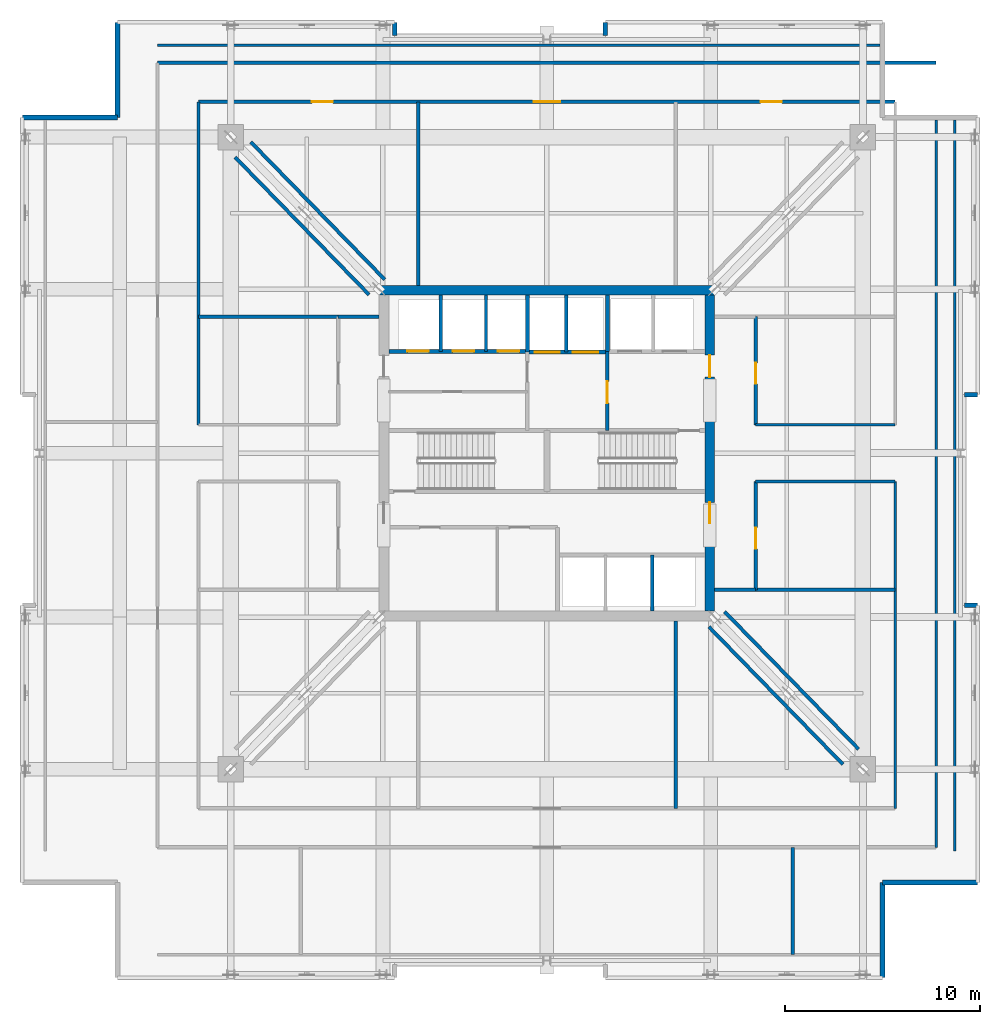
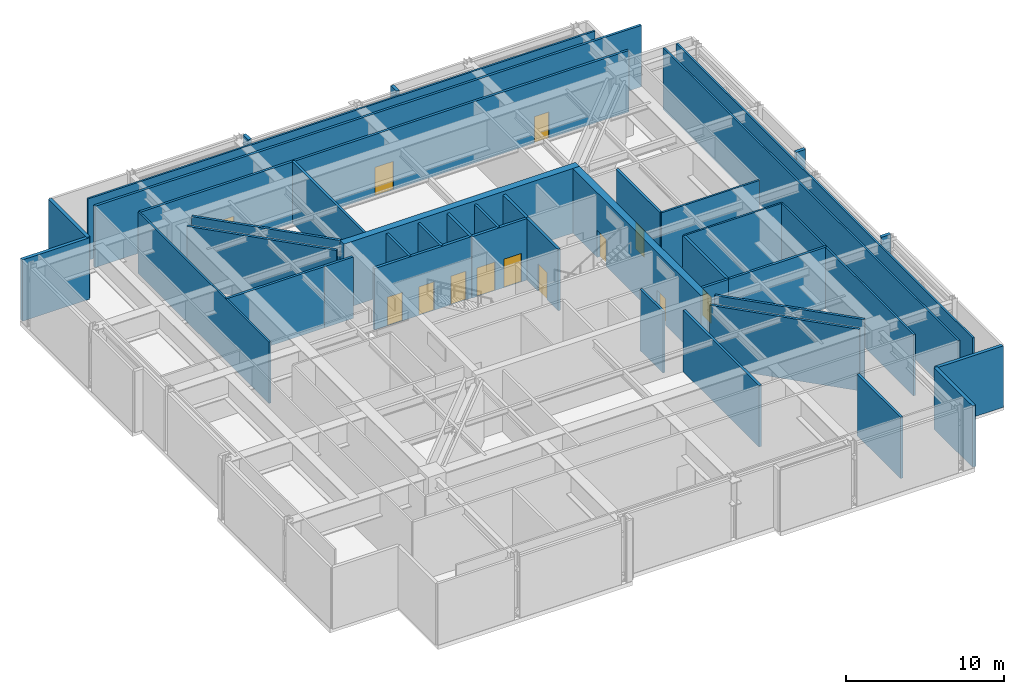
# One storey, part 8 of 13: 41 walls, 13 doors, 13 openings.
"""IFC4 building model written with IfcOpenShell, lengths in metres."""

from ifc_helpers import new_model, si_unit, direction, frame, frame_2d, origin, place, context, subcontext, project, spatial, rectangle, extrude, material, layer, layer_set, type_object, element, fill, save


model = new_model("IFC4")

# Units and contexts
model_context = context("Model", 3, precision=1e-05, world=origin(), true_north=direction((0.0, 1.0)))
body_context = subcontext(model_context, "Body", "Model", "MODEL_VIEW")
ifc_project = project(units=[si_unit("LENGTHUNIT", "METRE"), si_unit("AREAUNIT", "SQUARE_METRE"), si_unit("VOLUMEUNIT", "CUBIC_METRE"), si_unit("PLANEANGLEUNIT", "RADIAN"), si_unit("MASSUNIT", "GRAM", prefix="KILO")], contexts=[model_context])

# Site, building, storey
site_placement = place(None, origin())
site = spatial("IfcSite", under=ifc_project, at=site_placement, CompositionType="ELEMENT")
building_placement = place(site_placement, origin())
building = spatial("IfcBuilding", under=site, at=building_placement, Name="Drelvath Grand Hotel", CompositionType="ELEMENT")
storey_placement = place(building_placement, frame((0.0, 0.0, 200.10009765625)))
storey = spatial("IfcBuildingStorey", under=building, at=storey_placement, Name="L52", CompositionType="ELEMENT", Elevation=200.10009765625)

# Wall
ifc_material_1 = material(Name="Concrete C40/50", Category="concrete")
ifc_layer_1 = layer(ifc_material_1, 0.199951171875)
ifc_layer_set_1 = layer_set([ifc_layer_1], Name="Concrete C40/50")
wall_type_1 = type_object("IfcWallType", Name="Core Hoistway Fire Wall 200", PredefinedType="SOLIDWALL", material=ifc_layer_set_1)
wall_1_placement = place(storey_placement, frame((3.10009765625, 32.219970703125, 0.0), z_axis=(0.0, 0.0, 1.0), x_axis=(0.0, 1.0, 0.0)))
element("IfcWall", 1, at=wall_1_placement, inside=storey, type_object=wall_type_1, Name="L52 FSAE Hoistway West Wall", PredefinedType="SOLIDWALL", context=body_context, shape_type="SweptSolid", body=[
    extrude(rectangle(XDim=2.880126953125, YDim=0.199951171875, at=frame_2d((1.43994140625, 0.0))), origin(), (0.0, 0.0, 1.0), 4.739990234375),
])

# Wall, openings, doors
wall_2_placement = place(storey_placement, frame((-1.0, 32.179931640625, 0.0), z_axis=(0.0, 0.0, 1.0), x_axis=(1.0, 0.0, 0.0)))
wall_2 = element("IfcWall", 2, at=wall_2_placement, inside=storey, type_object=wall_type_1, Name="L52 Service Lift Hoistway Wall", PredefinedType="SOLIDWALL", context=body_context, shape_type="SweptSolid", body=[
    extrude(rectangle(XDim=4.10009765625, YDim=0.199951171875, at=frame_2d((2.050048828125, 0.0))), origin(), (0.0, 0.0, 1.0), 4.739990234375),
])
opening_1_placement = place(wall_2_placement, frame((0.3701171875, 0.0, 0.0)))
opening_1 = element("IfcOpeningElement", 3, at=opening_1_placement, cuts=wall_2, Name="Opening LD-SV-2", PredefinedType="OPENING", context=body_context, shape_type="SweptSolid", body=[
    extrude(rectangle(XDim=1.300048828125, YDim=2.199951171875, at=frame_2d((0.64990234375, 1.10009765625))), frame((0.0, 0.10986328125, 0.0), z_axis=(0.0, -1.0, 0.0), x_axis=(1.0, 0.0, 0.0)), (0.0, 0.0, 1.0), 0.219970703125),
])
opening_2_placement = place(wall_2_placement, frame((2.330078125, 0.0, 0.0)))
opening_2 = element("IfcOpeningElement", 4, at=opening_2_placement, cuts=wall_2, Name="Opening LD-SV-1", PredefinedType="OPENING", context=body_context, shape_type="SweptSolid", body=[
    extrude(rectangle(XDim=1.300048828125, YDim=2.199951171875, at=frame_2d((0.64990234375, 1.10009765625))), frame((0.0, 0.10986328125, 0.0), z_axis=(0.0, -1.0, 0.0), x_axis=(1.0, 0.0, 0.0)), (0.0, 0.0, 1.0), 0.219970703125),
])
ifc_material_2 = material(Name="Stainless Steel S355", Category="steel")
door_type_1 = type_object("IfcDoorType", Name="Service Lift Sliding Landing Door 1300x2200", OperationType="NOTDEFINED", PredefinedType="DOOR", material=ifc_material_2)
door_1_placement = place(opening_1_placement, origin())
door_1 = element("IfcDoor", 5, at=door_1_placement, inside=storey, type_object=door_type_1, Name="L52 Lift SV-2 Landing Door", OperationType="SLIDING_TO_LEFT", OverallHeight=2.199951171875, OverallWidth=1.300048828125, PredefinedType="DOOR", context=body_context, shape_type="SweptSolid", body=[
    extrude(rectangle(XDim=1.300048828125, YDim=2.199951171875, at=frame_2d((0.64990234375, 1.10009765625))), frame((0.0, 0.02490234375, 0.0), z_axis=(0.0, -1.0, 0.0), x_axis=(1.0, 0.0, 0.0)), (0.0, 0.0, 1.0), 0.050048828125),
])
fill(opening_1, door_1)
door_2_placement = place(opening_2_placement, origin())
door_2 = element("IfcDoor", 6, at=door_2_placement, inside=storey, type_object=door_type_1, Name="L52 Lift SV-1 Landing Door", OperationType="SLIDING_TO_LEFT", OverallHeight=2.199951171875, OverallWidth=1.300048828125, PredefinedType="DOOR", context=body_context, shape_type="SweptSolid", body=[
    extrude(rectangle(XDim=1.300048828125, YDim=2.199951171875, at=frame_2d((0.64990234375, 1.10009765625))), frame((0.0, 0.02490234375, 0.0), z_axis=(0.0, -1.0, 0.0), x_axis=(1.0, 0.0, 0.0)), (0.0, 0.0, 1.0), 0.050048828125),
])
fill(opening_2, door_2)

# Wall
wall_3_placement = place(storey_placement, frame((-1.0, 32.179931640625, 0.0), z_axis=(0.0, 0.0, 1.0), x_axis=(0.0, 1.0, 0.0)))
element("IfcWall", 7, at=wall_3_placement, inside=storey, type_object=wall_type_1, Name="L52 Service Lift West Wall", PredefinedType="SOLIDWALL", context=body_context, shape_type="SweptSolid", body=[
    extrude(rectangle(XDim=2.920166015625, YDim=0.199951171875, at=frame_2d((1.4599609375, 0.0))), origin(), (0.0, 0.0, 1.0), 4.739990234375),
])

# Wall, openings, doors
wall_4_placement = place(storey_placement, frame((-8.10009765625, 32.219970703125, 0.0), z_axis=(0.0, 0.0, 1.0), x_axis=(1.0, 0.0, 0.0)))
wall_4 = element("IfcWall", 8, at=wall_4_placement, inside=storey, type_object=wall_type_1, Name="L52 Bank 3 Hoistway Wall", PredefinedType="SOLIDWALL", context=body_context, shape_type="SweptSolid", body=[
    extrude(rectangle(XDim=7.10009765625, YDim=0.199951171875, at=frame_2d((3.550048828125, 0.0))), origin(), (0.0, 0.0, 1.0), 4.739990234375),
])
opening_3_placement = place(wall_4_placement, frame((0.949951171875, 0.0, 0.0)))
opening_3 = element("IfcOpeningElement", 9, at=opening_3_placement, cuts=wall_4, Name="Opening LD-PE-7", PredefinedType="OPENING", context=body_context, shape_type="SweptSolid", body=[
    extrude(rectangle(XDim=1.10009765625, YDim=2.199951171875, at=frame_2d((0.550048828125, 1.10009765625))), frame((0.0, 0.10986328125, 0.0), z_axis=(0.0, -1.0, 0.0), x_axis=(1.0, 0.0, 0.0)), (0.0, 0.0, 1.0), 0.219970703125),
])
opening_4_placement = place(wall_4_placement, frame((3.27001953125, 0.0, 0.0)))
opening_4 = element("IfcOpeningElement", 10, at=opening_4_placement, cuts=wall_4, Name="Opening LD-PE-8", PredefinedType="OPENING", context=body_context, shape_type="SweptSolid", body=[
    extrude(rectangle(XDim=1.10009765625, YDim=2.199951171875, at=frame_2d((0.550048828125, 1.10009765625))), frame((0.0, 0.10986328125, 0.0), z_axis=(0.0, -1.0, 0.0), x_axis=(1.0, 0.0, 0.0)), (0.0, 0.0, 1.0), 0.219970703125),
])
opening_5_placement = place(wall_4_placement, frame((5.590087890625, 0.0, 0.0)))
opening_5 = element("IfcOpeningElement", 11, at=opening_5_placement, cuts=wall_4, Name="Opening LD-PE-9", PredefinedType="OPENING", context=body_context, shape_type="SweptSolid", body=[
    extrude(rectangle(XDim=1.10009765625, YDim=2.199951171875, at=frame_2d((0.550048828125, 1.10009765625))), frame((0.0, 0.10986328125, 0.0), z_axis=(0.0, -1.0, 0.0), x_axis=(1.0, 0.0, 0.0)), (0.0, 0.0, 1.0), 0.219970703125),
])
door_type_2 = type_object("IfcDoorType", Name="Passenger Lift Sliding Landing Door 1100x2200", OperationType="NOTDEFINED", PredefinedType="DOOR", material=ifc_material_2)
door_3_placement = place(opening_3_placement, origin())
door_3 = element("IfcDoor", 12, at=door_3_placement, inside=storey, type_object=door_type_2, Name="L52 Lift PE-7 Landing Door", OperationType="SLIDING_TO_LEFT", OverallHeight=2.199951171875, OverallWidth=1.10009765625, PredefinedType="DOOR", context=body_context, shape_type="SweptSolid", body=[
    extrude(rectangle(XDim=1.10009765625, YDim=2.199951171875, at=frame_2d((0.550048828125, 1.10009765625))), frame((0.0, 0.02490234375, 0.0), z_axis=(0.0, -1.0, 0.0), x_axis=(1.0, 0.0, 0.0)), (0.0, 0.0, 1.0), 0.050048828125),
])
fill(opening_3, door_3)
door_4_placement = place(opening_4_placement, origin())
door_4 = element("IfcDoor", 13, at=door_4_placement, inside=storey, type_object=door_type_2, Name="L52 Lift PE-8 Landing Door", OperationType="SLIDING_TO_LEFT", OverallHeight=2.199951171875, OverallWidth=1.10009765625, PredefinedType="DOOR", context=body_context, shape_type="SweptSolid", body=[
    extrude(rectangle(XDim=1.10009765625, YDim=2.199951171875, at=frame_2d((0.550048828125, 1.10009765625))), frame((0.0, 0.02490234375, 0.0), z_axis=(0.0, -1.0, 0.0), x_axis=(1.0, 0.0, 0.0)), (0.0, 0.0, 1.0), 0.050048828125),
])
fill(opening_4, door_4)
door_5_placement = place(opening_5_placement, origin())
door_5 = element("IfcDoor", 14, at=door_5_placement, inside=storey, type_object=door_type_2, Name="L52 Lift PE-9 Landing Door", OperationType="SLIDING_TO_LEFT", OverallHeight=2.199951171875, OverallWidth=1.10009765625, PredefinedType="DOOR", context=body_context, shape_type="SweptSolid", body=[
    extrude(rectangle(XDim=1.10009765625, YDim=2.199951171875, at=frame_2d((0.550048828125, 1.10009765625))), frame((0.0, 0.02490234375, 0.0), z_axis=(0.0, -1.0, 0.0), x_axis=(1.0, 0.0, 0.0)), (0.0, 0.0, 1.0), 0.050048828125),
])
fill(opening_5, door_5)

# Walls
ifc_material_3 = material(Name="Gypsum Fireboard Partition")
ifc_layer_2 = layer(ifc_material_3, 0.1650390625)
ifc_layer_set_2 = layer_set([ifc_layer_2], Name="Gypsum Fireboard Partition")
wall_type_2 = type_object("IfcWallType", Name="Core Shaft Partition 165", PredefinedType="PARTITIONING", material=ifc_layer_set_2)
wall_5_placement = place(storey_placement, frame((1.0, 32.179931640625, 0.0), z_axis=(0.0, 0.0, 1.0), x_axis=(0.0, 1.0, 0.0)))
element("IfcWall", 15, at=wall_5_placement, inside=storey, type_object=wall_type_2, Name="L52 Service Lift Divider", PredefinedType="PARTITIONING", context=body_context, shape_type="SweptSolid", body=[
    extrude(rectangle(XDim=2.920166015625, YDim=0.1650390625, at=frame_2d((1.4599609375, 0.0))), origin(), (0.0, 0.0, 1.0), 4.739990234375),
])
for number, where, z_axis, x_axis, name in (
    (16, (-5.43994140625, 32.219970703125, 0.0), (0.0, 0.0, 1.0), (0.0, 1.0, 0.0), "L52 Lift PE-7/8 Divider"),
    (17, (-3.1201171875, 32.219970703125, 0.0), (0.0, 0.0, 1.0), (0.0, 1.0, 0.0), "L52 Lift PE-8/9 Divider"),
    (18, (5.39990234375, 18.89990234375, 0.0), (0.0, 0.0, 1.0), (0.0, 1.0, 0.0), "L52 Lift PE-5/6 Divider"),
):
    element("IfcWall", number, at=place(storey_placement, frame(where, z_axis=z_axis, x_axis=x_axis)), inside=storey, type_object=wall_type_2, Name=name, PredefinedType="PARTITIONING", context=body_context, shape_type="SweptSolid", body=[
        extrude(rectangle(XDim=2.880126953125, YDim=0.1650390625, at=frame_2d((1.43994140625, 0.0))), origin(), (0.0, 0.0, 1.0), 4.739990234375),
    ])
ifc_layer_3 = layer(ifc_material_3, 0.135009765625)
ifc_layer_set_3 = layer_set([ifc_layer_3], Name="Gypsum Fireboard Partition")
wall_type_3 = type_object("IfcWallType", Name="Corridor Fire Barrier Wall 135", PredefinedType="PARTITIONING", material=ifc_layer_set_3)
wall_6_placement = place(storey_placement, frame((20.89990234375, 6.60009765625, 0.0), z_axis=(0.0, 0.0, 1.0), x_axis=(0.0, 1.0, 0.0)))
element("IfcWall", 19, at=wall_6_placement, inside=storey, type_object=wall_type_3, Name="L52 East Belt Plenum Wall", PredefinedType="PARTITIONING", context=body_context, shape_type="SweptSolid", body=[
    extrude(rectangle(XDim=37.47998046875, YDim=0.135009765625, at=frame_2d((18.739990234375, 0.0))), origin(), (0.0, 0.0, 1.0), 4.739990234375),
])
wall_7_placement = place(storey_placement, frame((-19.949951171875, 47.89990234375, 0.0), z_axis=(0.0, 0.0, 1.0), x_axis=(1.0, 0.0, 0.0)))
element("IfcWall", 20, at=wall_7_placement, inside=storey, type_object=wall_type_3, Name="L52 North Belt Plenum Wall", PredefinedType="PARTITIONING", context=body_context, shape_type="SweptSolid", body=[
    extrude(rectangle(XDim=37.030029296875, YDim=0.135009765625, at=frame_2d((18.51513671875, 0.0))), origin(), (0.0, 0.0, 1.0), 4.739990234375),
])
for number, where, z_axis, x_axis, name in (
    (21, (10.699951171875, 25.550048828125, 0.0), (0.0, 0.0, 1.0), (1.0, 0.0, 0.0), "L52 East Cross-Arm South Wall"),
    (22, (10.699951171875, 28.449951171875, 0.0), (0.0, 0.0, 1.0), (1.0, 0.0, 0.0), "L52 East Cross-Arm North Wall"),
):
    element("IfcWall", number, at=place(storey_placement, frame(where, z_axis=z_axis, x_axis=x_axis)), inside=storey, type_object=wall_type_3, Name=name, PredefinedType="PARTITIONING", context=body_context, shape_type="SweptSolid", body=[
        extrude(rectangle(XDim=7.150146484375, YDim=0.135009765625, at=frame_2d((3.5751953125, 0.0))), origin(), (0.0, 0.0, 1.0), 4.739990234375),
    ])
wall_8_placement = place(storey_placement, frame((-17.85009765625, 28.449951171875, 0.0), z_axis=(0.0, 0.0, 1.0), x_axis=(0.0, 1.0, 0.0)))
element("IfcWall", 23, at=wall_8_placement, inside=storey, type_object=wall_type_3, Name="L52 West Outer Leg Inner N", PredefinedType="PARTITIONING", context=body_context, shape_type="SweptSolid", body=[
    extrude(rectangle(XDim=16.550048828125, YDim=0.135009765625, at=frame_2d((8.27490234375, 0.0))), origin(), (0.0, 0.0, 1.0), 4.739990234375),
])
wall_9_placement = place(storey_placement, frame((19.949951171875, 6.800048828125, 0.0), z_axis=(0.0, 0.0, 1.0), x_axis=(0.0, 1.0, 0.0)))
element("IfcWall", 24, at=wall_9_placement, inside=storey, type_object=wall_type_3, Name="L52 East Outer Leg Outer Wall", PredefinedType="PARTITIONING", context=body_context, shape_type="SweptSolid", body=[
    extrude(rectangle(XDim=37.280029296875, YDim=0.135009765625, at=frame_2d((18.64013671875, 0.0))), origin(), (0.0, 0.0, 1.0), 4.739990234375),
])
wall_10_placement = place(storey_placement, frame((17.85009765625, 8.800048828125, 0.0), z_axis=(0.0, 0.0, 1.0), x_axis=(0.0, 1.0, 0.0)))
element("IfcWall", 25, at=wall_10_placement, inside=storey, type_object=wall_type_3, Name="L52 East Outer Leg Inner S", PredefinedType="PARTITIONING", context=body_context, shape_type="SweptSolid", body=[
    extrude(rectangle(XDim=16.75, YDim=0.135009765625, at=frame_2d((8.375, 0.0))), origin(), (0.0, 0.0, 1.0), 4.739990234375),
])

# Wall, opening, door
ifc_layer_4 = layer(ifc_material_3, 0.179931640625)
ifc_layer_set_4 = layer_set([ifc_layer_4], Name="Gypsum Fireboard Partition")
wall_type_4 = type_object("IfcWallType", Name="FSAE Smoke Lobby Fire Wall 180", PredefinedType="SOLIDWALL", material=ifc_layer_set_4)
wall_11_placement = place(storey_placement, frame((3.10009765625, 28.159912109375, 0.0), z_axis=(0.0, 0.0, 1.0), x_axis=(0.0, 1.0, 0.0)))
wall_11 = element("IfcWall", 26, at=wall_11_placement, inside=storey, type_object=wall_type_4, Name="L52 FSAE Smoke Lobby West Wall", PredefinedType="SOLIDWALL", context=body_context, shape_type="SweptSolid", body=[
    extrude(rectangle(XDim=4.06005859375, YDim=0.179931640625, at=frame_2d((2.030029296875, 0.0))), origin(), (0.0, 0.0, 1.0), 4.739990234375),
])
opening_6_placement = place(wall_11_placement, frame((1.39990234375, 0.0, 0.0)))
opening_6 = element("IfcOpeningElement", 27, at=opening_6_placement, cuts=wall_11, Name="Opening D-L52-005", PredefinedType="OPENING", context=body_context, shape_type="SweptSolid", body=[
    extrude(rectangle(XDim=1.1201171875, YDim=2.10009765625, at=frame_2d((0.56005859375, 1.050048828125))), frame((0.0, 0.099853515625, 0.0), z_axis=(0.0, -1.0, 0.0), x_axis=(1.0, 0.0, 0.0)), (0.0, 0.0, 1.0), 0.199951171875),
])
ifc_material_4 = material(Name="Painted Steel S275", Category="steel")
door_type_3 = type_object("IfcDoorType", Name="FSAE Smoke Lobby Fire Door 1120x2100", OperationType="NOTDEFINED", PredefinedType="DOOR", material=ifc_material_4)
door_6_placement = place(opening_6_placement, origin())
door_6 = element("IfcDoor", 28, at=door_6_placement, inside=storey, type_object=door_type_3, Name="L52 FSAE Lobby Service Vestibule Door", OperationType="SINGLE_SWING_RIGHT", OverallHeight=2.10009765625, OverallWidth=1.1201171875, PredefinedType="DOOR", context=body_context, shape_type="SweptSolid", body=[
    extrude(rectangle(XDim=1.1201171875, YDim=2.10009765625, at=frame_2d((0.56005859375, 1.050048828125))), frame((0.0, 0.02490234375, 0.0), z_axis=(0.0, -1.0, 0.0), x_axis=(1.0, 0.0, 0.0)), (0.0, 0.0, 1.0), 0.050048828125),
])
fill(opening_6, door_6)

# Walls
for number, where, z_axis, x_axis, name in (
    (29, (8.3037109375, 18.101806640625, 0.0), (0.0, 0.0, 1.0), (0.697854936738, -0.716239127157, 0.0), "L52 Truss SE Fire Bulkhead A"),
    (30, (9.105712890625, 18.88330078125, 0.0), (0.0, 0.0, 1.0), (0.697867337648, -0.71622704434, 0.0), "L52 Truss SE Fire Bulkhead B"),
    (31, (-8.3037109375, 35.898193359375, 0.0), (0.0, 0.0, 1.0), (-0.697854936738, 0.716239127157, 0.0), "L52 Truss NW Fire Bulkhead A"),
    (32, (-9.105712890625, 35.11669921875, 0.0), (0.0, 0.0, 1.0), (-0.697867337648, 0.71622704434, 0.0), "L52 Truss NW Fire Bulkhead B"),
):
    element("IfcWall", number, at=place(storey_placement, frame(where, z_axis=z_axis, x_axis=x_axis)), inside=storey, type_object=wall_type_4, Name=name, PredefinedType="SOLIDWALL", context=body_context, shape_type="SweptSolid", body=[
        extrude(rectangle(XDim=9.84033203125, YDim=0.179931640625, at=frame_2d((4.920166015625, 0.0))), origin(), (0.0, 0.0, 1.0), 4.739990234375),
    ])
wall_12_placement = place(storey_placement, frame((-10.699951171875, 34.0, 0.0), z_axis=(0.0, 0.0, 1.0), x_axis=(1.0, 0.0, 0.0)))
element("IfcWall", 33, at=wall_12_placement, inside=storey, type_object=wall_type_4, Name="L52 Plant West Foyer North End", PredefinedType="SOLIDWALL", context=body_context, shape_type="SweptSolid", body=[
    extrude(rectangle(XDim=2.099853515625, YDim=0.179931640625, at=frame_2d((1.0498046875, 0.0))), origin(), (0.0, 0.0, 1.0), 4.739990234375),
])

# Wall, opening, door
wall_13_placement = place(storey_placement, frame((10.699951171875, 20.0, 0.0), z_axis=(0.0, 0.0, 1.0), x_axis=(0.0, 1.0, 0.0)))
wall_13 = element("IfcWall", 34, at=wall_13_placement, inside=storey, type_object=wall_type_4, Name="L52 Plant East Foyer Lower Wall", PredefinedType="SOLIDWALL", context=body_context, shape_type="SweptSolid", body=[
    extrude(rectangle(XDim=5.550048828125, YDim=0.179931640625, at=frame_2d((2.77490234375, 0.0))), origin(), (0.0, 0.0, 1.0), 4.739990234375),
])
opening_7_placement = place(wall_13_placement, frame((2.10009765625, 0.0, 0.0)))
opening_7 = element("IfcOpeningElement", 35, at=opening_7_placement, cuts=wall_13, Name="Opening D-L52-024", PredefinedType="OPENING", context=body_context, shape_type="SweptSolid", body=[
    extrude(rectangle(XDim=1.080078125, YDim=2.0400390625, at=frame_2d((0.5400390625, 1.02001953125))), frame((0.0, 0.099853515625, 0.0), z_axis=(0.0, -1.0, 0.0), x_axis=(1.0, 0.0, 0.0)), (0.0, 0.0, 1.0), 0.199951171875),
])
door_type_4 = type_object("IfcDoorType", Name="Core Corridor Fire Door 1080x2100", OperationType="NOTDEFINED", PredefinedType="DOOR", material=ifc_material_4)
door_7_placement = place(opening_7_placement, origin())
door_7 = element("IfcDoor", 36, at=door_7_placement, inside=storey, type_object=door_type_4, Name="L52 Booster Pump Plant Door", OperationType="SINGLE_SWING_LEFT", OverallHeight=2.0400390625, OverallWidth=1.080078125, PredefinedType="DOOR", context=body_context, shape_type="SweptSolid", body=[
    extrude(rectangle(XDim=1.080078125, YDim=2.0400390625, at=frame_2d((0.5400390625, 1.02001953125))), frame((0.0, 0.02490234375, 0.0), z_axis=(0.0, -1.0, 0.0), x_axis=(1.0, 0.0, 0.0)), (0.0, 0.0, 1.0), 0.050048828125),
])
fill(opening_7, door_7)

wall_14_placement = place(storey_placement, frame((10.699951171875, 28.449951171875, 0.0), z_axis=(0.0, 0.0, 1.0), x_axis=(0.0, 1.0, 0.0)))
wall_14 = element("IfcWall", 37, at=wall_14_placement, inside=storey, type_object=wall_type_4, Name="L52 Plant East Foyer Upper Wall", PredefinedType="SOLIDWALL", context=body_context, shape_type="SweptSolid", body=[
    extrude(rectangle(XDim=5.550048828125, YDim=0.179931640625, at=frame_2d((2.77490234375, 0.0))), origin(), (0.0, 0.0, 1.0), 4.739990234375),
])
opening_8_placement = place(wall_14_placement, frame((2.10009765625, 0.0, 0.0)))
opening_8 = element("IfcOpeningElement", 38, at=opening_8_placement, cuts=wall_14, Name="Opening D-L52-025", PredefinedType="OPENING", context=body_context, shape_type="SweptSolid", body=[
    extrude(rectangle(XDim=1.080078125, YDim=2.0400390625, at=frame_2d((0.5400390625, 1.02001953125))), frame((0.0, 0.099853515625, 0.0), z_axis=(0.0, -1.0, 0.0), x_axis=(1.0, 0.0, 0.0)), (0.0, 0.0, 1.0), 0.199951171875),
])
door_8_placement = place(opening_8_placement, origin())
door_8 = element("IfcDoor", 39, at=door_8_placement, inside=storey, type_object=door_type_4, Name="L52 Standpipe Pump Plant Door", OperationType="SINGLE_SWING_RIGHT", OverallHeight=2.0400390625, OverallWidth=1.080078125, PredefinedType="DOOR", context=body_context, shape_type="SweptSolid", body=[
    extrude(rectangle(XDim=1.080078125, YDim=2.0400390625, at=frame_2d((0.5400390625, 1.02001953125))), frame((0.0, 0.02490234375, 0.0), z_axis=(0.0, -1.0, 0.0), x_axis=(1.0, 0.0, 0.0)), (0.0, 0.0, 1.0), 0.050048828125),
])
fill(opening_8, door_8)

# Wall
wall_15_placement = place(storey_placement, frame((8.60009765625, 20.0, 0.0), z_axis=(0.0, 0.0, 1.0), x_axis=(1.0, 0.0, 0.0)))
element("IfcWall", 40, at=wall_15_placement, inside=storey, type_object=wall_type_4, Name="L52 Plant East Foyer South End", PredefinedType="SOLIDWALL", context=body_context, shape_type="SweptSolid", body=[
    extrude(rectangle(XDim=2.099853515625, YDim=0.179931640625, at=frame_2d((1.0498046875, 0.0))), origin(), (0.0, 0.0, 1.0), 4.739990234375),
])

# Wall, openings, doors
wall_16_placement = place(storey_placement, frame((-17.85009765625, 45.0, 0.0), z_axis=(0.0, 0.0, 1.0), x_axis=(1.0, 0.0, 0.0)))
wall_16 = element("IfcWall", 41, at=wall_16_placement, inside=storey, type_object=wall_type_4, Name="L52 North Connector Inner Wall", PredefinedType="SOLIDWALL", context=body_context, shape_type="SweptSolid", body=[
    extrude(rectangle(XDim=35.7001953125, YDim=0.179931640625, at=frame_2d((17.85009765625, 0.0))), origin(), (0.0, 0.0, 1.0), 4.739990234375),
])
opening_9_placement = place(wall_16_placement, frame((17.169921875, 0.0, 0.0)))
opening_9 = element("IfcOpeningElement", 42, at=opening_9_placement, cuts=wall_16, Name="Opening D-L52-021", PredefinedType="OPENING", context=body_context, shape_type="SweptSolid", body=[
    extrude(rectangle(XDim=1.360107421875, YDim=2.199951171875, at=frame_2d((0.68017578125, 1.10009765625))), frame((0.0, 0.099853515625, 0.0), z_axis=(0.0, -1.0, 0.0), x_axis=(1.0, 0.0, 0.0)), (0.0, 0.0, 1.0), 0.199951171875),
])
opening_10_placement = place(wall_16_placement, frame((5.81005859375, 0.0, 0.0)))
opening_10 = element("IfcOpeningElement", 43, at=opening_10_placement, cuts=wall_16, Name="Opening D-L52-028", PredefinedType="OPENING", context=body_context, shape_type="SweptSolid", body=[
    extrude(rectangle(XDim=1.080078125, YDim=2.0400390625, at=frame_2d((0.5400390625, 1.02001953125))), frame((0.0, 0.099853515625, 0.0), z_axis=(0.0, -1.0, 0.0), x_axis=(1.0, 0.0, 0.0)), (0.0, 0.0, 1.0), 0.199951171875),
])
opening_11_placement = place(wall_16_placement, frame((28.81005859375, 0.0, 0.0)))
opening_11 = element("IfcOpeningElement", 44, at=opening_11_placement, cuts=wall_16, Name="Opening D-L52-029", PredefinedType="OPENING", context=body_context, shape_type="SweptSolid", body=[
    extrude(rectangle(XDim=1.080078125, YDim=2.0400390625, at=frame_2d((0.5400390625, 1.02001953125))), frame((0.0, 0.099853515625, 0.0), z_axis=(0.0, -1.0, 0.0), x_axis=(1.0, 0.0, 0.0)), (0.0, 0.0, 1.0), 0.199951171875),
])
door_9_placement = place(opening_10_placement, origin())
door_9 = element("IfcDoor", 45, at=door_9_placement, inside=storey, type_object=door_type_4, Name="L52 UPS Plant Door", OperationType="SINGLE_SWING_LEFT", OverallHeight=2.0400390625, OverallWidth=1.080078125, PredefinedType="DOOR", context=body_context, shape_type="SweptSolid", body=[
    extrude(rectangle(XDim=1.080078125, YDim=2.0400390625, at=frame_2d((0.5400390625, 1.02001953125))), frame((0.0, 0.02490234375, 0.0), z_axis=(0.0, -1.0, 0.0), x_axis=(1.0, 0.0, 0.0)), (0.0, 0.0, 1.0), 0.050048828125),
])
fill(opening_10, door_9)
door_10_placement = place(opening_11_placement, origin())
door_10 = element("IfcDoor", 46, at=door_10_placement, inside=storey, type_object=door_type_4, Name="L52 Substation Plant Door", OperationType="SINGLE_SWING_RIGHT", OverallHeight=2.0400390625, OverallWidth=1.080078125, PredefinedType="DOOR", context=body_context, shape_type="SweptSolid", body=[
    extrude(rectangle(XDim=1.080078125, YDim=2.0400390625, at=frame_2d((0.5400390625, 1.02001953125))), frame((0.0, 0.02490234375, 0.0), z_axis=(0.0, -1.0, 0.0), x_axis=(1.0, 0.0, 0.0)), (0.0, 0.0, 1.0), 0.050048828125),
])
fill(opening_11, door_10)
door_type_5 = type_object("IfcDoorType", Name="Plant Equipment Double Fire Door 1360x2200", OperationType="NOTDEFINED", PredefinedType="DOOR", material=ifc_material_4)
door_11_placement = place(opening_9_placement, origin())
door_11 = element("IfcDoor", 47, at=door_11_placement, inside=storey, type_object=door_type_5, Name="L52 North Refuge Area Door", OperationType="SINGLE_SWING_RIGHT", OverallHeight=2.199951171875, OverallWidth=1.360107421875, PredefinedType="DOOR", context=body_context, shape_type="SweptSolid", body=[
    extrude(rectangle(XDim=1.360107421875, YDim=2.199951171875, at=frame_2d((0.68017578125, 1.10009765625))), frame((0.0, 0.02490234375, 0.0), z_axis=(0.0, -1.0, 0.0), x_axis=(1.0, 0.0, 0.0)), (0.0, 0.0, 1.0), 0.050048828125),
])
fill(opening_9, door_11)

# Walls
wall_17_placement = place(storey_placement, frame((-19.949951171875, 47.0, 0.0), z_axis=(0.0, 0.0, 1.0), x_axis=(1.0, 0.0, 0.0)))
element("IfcWall", 48, at=wall_17_placement, inside=storey, type_object=wall_type_4, Name="L52 North Connector Outer Wall", PredefinedType="SOLIDWALL", context=body_context, shape_type="SweptSolid", body=[
    extrude(rectangle(XDim=39.89990234375, YDim=0.179931640625, at=frame_2d((19.949951171875, 0.0))), origin(), (0.0, 0.0, 1.0), 4.739990234375),
])
wall_18_placement = place(storey_placement, frame((6.60009765625, 8.800048828125, 0.0), z_axis=(0.0, 0.0, 1.0), x_axis=(0.0, 1.0, 0.0)))
element("IfcWall", 49, at=wall_18_placement, inside=storey, type_object=wall_type_4, Name="L52 South Refuge Inner East Wall", PredefinedType="SOLIDWALL", context=body_context, shape_type="SweptSolid", body=[
    extrude(rectangle(XDim=9.599853515625, YDim=0.179931640625, at=frame_2d((4.7998046875, 0.0))), origin(), (0.0, 0.0, 1.0), 4.739990234375),
])
wall_19_placement = place(storey_placement, frame((12.60009765625, 1.300048828125, 0.0), z_axis=(0.0, 0.0, 1.0), x_axis=(0.0, 1.0, 0.0)))
element("IfcWall", 50, at=wall_19_placement, inside=storey, type_object=wall_type_4, Name="L52 South Apron Refuge East Wall", PredefinedType="SOLIDWALL", context=body_context, shape_type="SweptSolid", body=[
    extrude(rectangle(XDim=5.5, YDim=0.179931640625, at=frame_2d((2.75, 0.0))), origin(), (0.0, 0.0, 1.0), 4.739990234375),
])
wall_20_placement = place(storey_placement, frame((-6.60009765625, 35.60009765625, 0.0), z_axis=(0.0, 0.0, 1.0), x_axis=(0.0, 1.0, 0.0)))
element("IfcWall", 51, at=wall_20_placement, inside=storey, type_object=wall_type_4, Name="L52 North Refuge Inner West Wall", PredefinedType="SOLIDWALL", context=body_context, shape_type="SweptSolid", body=[
    extrude(rectangle(XDim=9.39990234375, YDim=0.179931640625, at=frame_2d((4.699951171875, 0.0))), origin(), (0.0, 0.0, 1.0), 4.739990234375),
])
for number, where, z_axis, x_axis, name in (
    (52, (-17.85009765625, 34.0, 0.0), (0.0, 0.0, 1.0), (1.0, 0.0, 0.0), "L52 West Inner Plant North Wall"),
    (53, (10.699951171875, 20.0, 0.0), (0.0, 0.0, 1.0), (1.0, 0.0, 0.0), "L52 East Inner Plant South Wall"),
):
    element("IfcWall", number, at=place(storey_placement, frame(where, z_axis=z_axis, x_axis=x_axis)), inside=storey, type_object=wall_type_4, Name=name, PredefinedType="SOLIDWALL", context=body_context, shape_type="SweptSolid", body=[
        extrude(rectangle(XDim=7.150146484375, YDim=0.179931640625, at=frame_2d((3.5751953125, 0.0))), origin(), (0.0, 0.0, 1.0), 4.739990234375),
    ])
ifc_material_5 = material(Name="Pale-Metal Insulated Aluminium Spandrel Assembly", Category="aluminium")
ifc_layer_5 = layer(ifc_material_5, 0.239990234375)
ifc_layer_set_5 = layer_set([ifc_layer_5], Name="Pale-Metal Insulated Aluminium Spandrel Assembly")
wall_type_5 = type_object("IfcWallType", Name="Tower Insulated Metal Spandrel Closure Wall 240", PredefinedType="STANDARD", material=ifc_layer_set_5)
wall_21_placement = place(storey_placement, frame((-26.8798828125, 44.199951171875, 0.0), z_axis=(0.0, 0.0, 1.0), x_axis=(1.0, 0.0, 0.0)))
element("IfcWall", 54, at=wall_21_placement, inside=storey, type_object=wall_type_5, Name="L52 Notched Corner Return Spandrel Wall CNW1", PredefinedType="STANDARD", context=body_context, shape_type="SweptSolid", body=[
    extrude(rectangle(XDim=4.8798828125, YDim=0.239990234375, at=frame_2d((2.43994140625, 0.0))), origin(), (0.0, 0.0, 1.0), 4.739990234375),
])
for number, where, z_axis, x_axis, name in (
    (55, (-22.0, 44.199951171875, 0.0), (0.0, 0.0, 1.0), (0.0, 1.0, 0.0), "L52 Notched Corner Return Spandrel Wall CNW2"),
    (56, (22.080078125, 5.0, 0.0), (0.0, 0.0, 1.0), (-1.0, 0.0, 0.0), "L52 Notched Corner Return Spandrel Wall CSE1"),
):
    element("IfcWall", number, at=place(storey_placement, frame(where, z_axis=z_axis, x_axis=x_axis)), inside=storey, type_object=wall_type_5, Name=name, PredefinedType="STANDARD", context=body_context, shape_type="SweptSolid", body=[
        extrude(rectangle(XDim=4.880126953125, YDim=0.239990234375, at=frame_2d((2.43994140625, 0.0))), origin(), (0.0, 0.0, 1.0), 4.739990234375),
    ])
wall_22_placement = place(storey_placement, frame((17.199951171875, 5.0, 0.0), z_axis=(0.0, 0.0, 1.0), x_axis=(0.0, -1.0, 0.0)))
element("IfcWall", 57, at=wall_22_placement, inside=storey, type_object=wall_type_5, Name="L52 Notched Corner Return Spandrel Wall CSE2", PredefinedType="STANDARD", context=body_context, shape_type="SweptSolid", body=[
    extrude(rectangle(XDim=4.8798828125, YDim=0.239990234375, at=frame_2d((2.43994140625, 0.0))), origin(), (0.0, 0.0, 1.0), 4.739990234375),
])
for number, where, z_axis, x_axis, name in (
    (58, (22.080078125, 30.0, 0.0), (0.0, 0.0, 1.0), (-1.0, 0.0, 0.0), "L52 Notched Corner Return Spandrel Wall RE1"),
    (59, (21.39990234375, 19.199951171875, 0.0), (0.0, 0.0, 1.0), (1.0, 0.0, 0.0), "L52 Notched Corner Return Spandrel Wall RE2"),
    (60, (-7.800048828125, 49.080078125, 0.0), (0.0, 0.0, 1.0), (0.0, -1.0, 0.0), "L52 Notched Corner Return Spandrel Wall RN1"),
    (61, (3.0, 48.39990234375, 0.0), (0.0, 0.0, 1.0), (0.0, 1.0, 0.0), "L52 Notched Corner Return Spandrel Wall RN2"),
):
    element("IfcWall", number, at=place(storey_placement, frame(where, z_axis=z_axis, x_axis=x_axis)), inside=storey, type_object=wall_type_5, Name=name, PredefinedType="STANDARD", context=body_context, shape_type="SweptSolid", body=[
        extrude(rectangle(XDim=0.68017578125, YDim=0.239990234375, at=frame_2d((0.340087890625, 0.0))), origin(), (0.0, 0.0, 1.0), 4.739990234375),
    ])
ifc_material_6 = material(Name="Concrete f'c 55 MPa", Category="concrete")
ifc_layer_6 = layer(ifc_material_6, 0.5)
ifc_layer_set_6 = layer_set([ifc_layer_6], Name="Concrete f'c 55 MPa")
wall_type_6 = type_object("IfcWallType", Name="Upper Core RC Shear Wall 500", PredefinedType="SHEAR", material=ifc_layer_set_6)
wall_23_placement = place(storey_placement, frame((-8.60009765625, 35.35009765625, 0.0), z_axis=(0.0, 0.0, 1.0), x_axis=(1.0, 0.0, 0.0)))
element("IfcWall", 62, at=wall_23_placement, inside=storey, type_object=wall_type_6, Name="L52 Central Core Shear Wall N", PredefinedType="SHEAR", context=body_context, shape_type="SweptSolid", body=[
    extrude(rectangle(XDim=17.2001953125, YDim=0.5, at=frame_2d((8.60009765625, 0.0))), origin(), (0.0, 0.0, 1.0), 5.0),
])

# Wall, openings, doors
wall_24_placement = place(storey_placement, frame((8.35009765625, 35.10009765625, 0.0), z_axis=(0.0, 0.0, 1.0), x_axis=(0.0, -1.0, 0.0)))
wall_24 = element("IfcWall", 63, at=wall_24_placement, inside=storey, type_object=wall_type_6, Name="L52 Central Core Shear Wall E", PredefinedType="SHEAR", context=body_context, shape_type="SweptSolid", body=[
    extrude(rectangle(XDim=16.2001953125, YDim=0.5, at=frame_2d((8.10009765625, 0.0))), origin(), (0.0, 0.0, 1.0), 5.0),
])
opening_12_placement = place(wall_24_placement, frame((3.080078125, 0.0, 0.0)))
opening_12 = element("IfcOpeningElement", 64, at=opening_12_placement, cuts=wall_24, Name="Opening D-L52-006", PredefinedType="OPENING", context=body_context, shape_type="SweptSolid", body=[
    extrude(rectangle(XDim=1.1201171875, YDim=2.10009765625, at=frame_2d((0.56005859375, 1.050048828125))), frame((0.0, 0.260009765625, 0.0), z_axis=(0.0, -1.0, 0.0), x_axis=(1.0, 0.0, 0.0)), (0.0, 0.0, 1.0), 0.52001953125),
])
opening_13_placement = place(wall_24_placement, frame((10.6201171875, 0.0, 0.0)))
opening_13 = element("IfcOpeningElement", 65, at=opening_13_placement, cuts=wall_24, Name="Opening D-L52-016", PredefinedType="OPENING", context=body_context, shape_type="SweptSolid", body=[
    extrude(rectangle(XDim=1.080078125, YDim=2.0400390625, at=frame_2d((0.5400390625, 1.02001953125))), frame((0.0, 0.260009765625, 0.0), z_axis=(0.0, -1.0, 0.0), x_axis=(1.0, 0.0, 0.0)), (0.0, 0.0, 1.0), 0.52001953125),
])
door_12_placement = place(opening_13_placement, origin())
door_12 = element("IfcDoor", 66, at=door_12_placement, inside=storey, type_object=door_type_4, Name="L52 Mid-Rise Lobby East Door", OperationType="SINGLE_SWING_LEFT", OverallHeight=2.0400390625, OverallWidth=1.080078125, PredefinedType="DOOR", context=body_context, shape_type="SweptSolid", body=[
    extrude(rectangle(XDim=1.080078125, YDim=2.0400390625, at=frame_2d((0.5400390625, 1.02001953125))), frame((0.0, 0.02490234375, 0.0), z_axis=(0.0, -1.0, 0.0), x_axis=(1.0, 0.0, 0.0)), (0.0, 0.0, 1.0), 0.050048828125),
])
fill(opening_13, door_12)
door_13_placement = place(opening_12_placement, origin())
door_13 = element("IfcDoor", 67, at=door_13_placement, inside=storey, type_object=door_type_3, Name="L52 FSAE Lobby East Corridor Door", OperationType="SINGLE_SWING_LEFT", OverallHeight=2.10009765625, OverallWidth=1.1201171875, PredefinedType="DOOR", context=body_context, shape_type="SweptSolid", body=[
    extrude(rectangle(XDim=1.1201171875, YDim=2.10009765625, at=frame_2d((0.56005859375, 1.050048828125))), frame((0.0, 0.02490234375, 0.0), z_axis=(0.0, -1.0, 0.0), x_axis=(1.0, 0.0, 0.0)), (0.0, 0.0, 1.0), 0.050048828125),
])
fill(opening_12, door_13)

save(model, "model.ifc")
